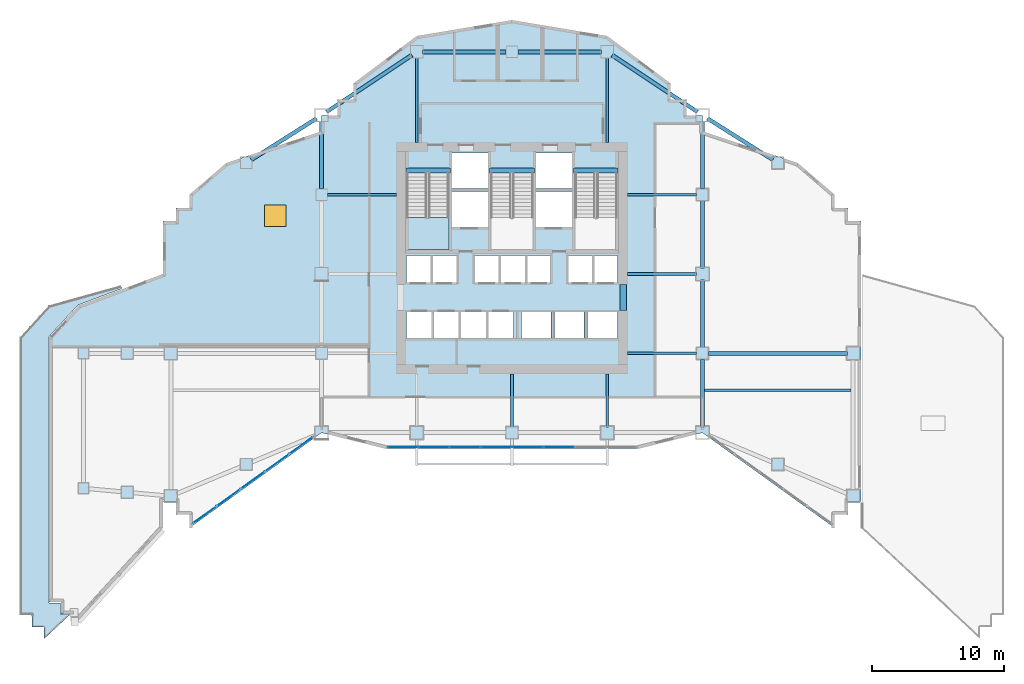
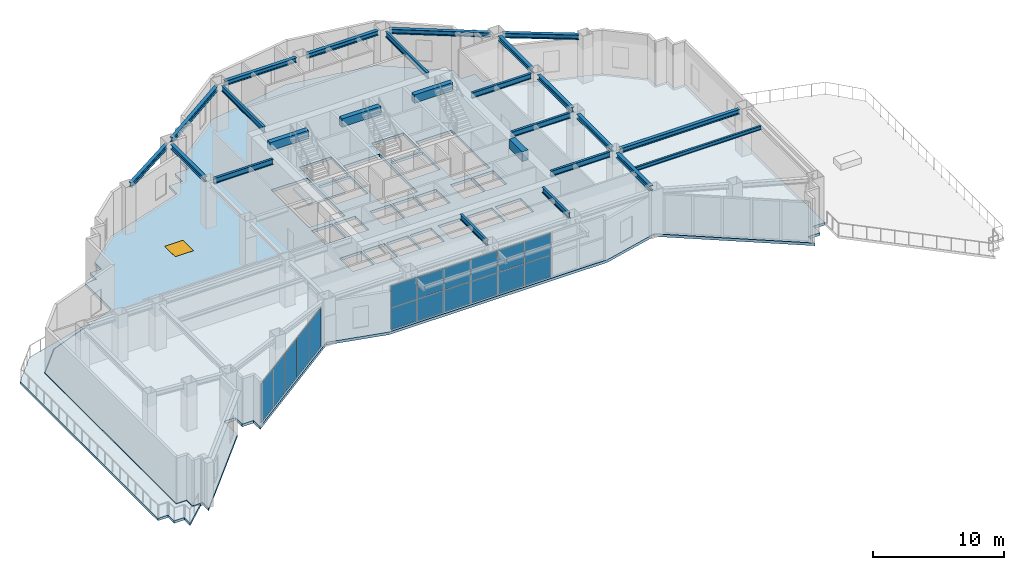
# One storey, part 8 of 19: 25 beams, 17 plates, 3 slabs, 1 window, 1 opening, 3 elements without a shape of their own.
"""IFC4 building model written with IfcOpenShell, lengths in metres."""

import ifcopenshell
import ifcopenshell.guid

model = None  # the IFC model being written
_history = None  # IfcOwnerHistory: only IFC2X3 demands one
_inside = {}  # id of a spatial element -> (the spatial element, [elements in it])
_under = {}  # id of a project, library or spatial element -> (it, [spatial elements below it])
_declared = {}  # id of a project -> (the project, [libraries it declares])
_typed = {}  # id of a type object -> (the type object, [elements of that type])
_made_of = {}  # id of a material, layer set ... -> (it, [elements and type objects made of it])


def new_model(schema):
    """Start an empty IFC model of exactly this schema.

    Asked for "IFC4X3", IfcOpenShell would pick the latest addendum, in which some entities
    have other attributes; the version numbers below select the first issue.
    IFC2X3 requires an IfcOwnerHistory on every rooted entity: one is made here for all.
    """
    global model, _history
    if schema == "IFC4X3":
        model = ifcopenshell.file(schema_version=(4, 3, 0, 0))
    else:
        model = ifcopenshell.file(schema=schema)
    _inside.clear()
    _under.clear()
    _declared.clear()
    _typed.clear()
    _made_of.clear()
    _history = None
    if model.schema == "IFC2X3":
        org = make("IfcOrganization", Name="unknown")
        user = make(
            "IfcPersonAndOrganization",
            ThePerson=make("IfcPerson", FamilyName="unknown"),
            TheOrganization=org,
        )
        app = make(
            "IfcApplication",
            ApplicationDeveloper=org,
            Version="unknown",
            ApplicationFullName="unknown",
            ApplicationIdentifier="unknown",
        )
        _history = make(
            "IfcOwnerHistory",
            OwningUser=user,
            OwningApplication=app,
            ChangeAction="ADDED",
            CreationDate=0,
        )
    return model


def make(cls, **values):
    """One entity of the class cls with the attributes given. An attribute that is None is left unset."""
    return model.create_entity(
        cls, **{name: value for name, value in values.items() if value is not None}
    )


def rooted(cls, **values):
    """An entity with a GlobalId (a new one), such as an element, a storey or a relation."""
    return make(cls, GlobalId=ifcopenshell.guid.new(), OwnerHistory=_history, **values)


def si_unit(unit_type, name, prefix=None):
    """IfcSIUnit, for example si_unit("LENGTHUNIT", "METRE", prefix="MILLI")."""
    return make("IfcSIUnit", UnitType=unit_type, Prefix=prefix, Name=name)


def assignment(units):
    """IfcUnitAssignment: the units of a project."""
    return None if units is None else make("IfcUnitAssignment", Units=units)


def point(xyz):
    """IfcCartesianPoint."""
    return None if xyz is None else make("IfcCartesianPoint", Coordinates=xyz)


def direction(xyz):
    """IfcDirection."""
    return None if xyz is None else make("IfcDirection", DirectionRatios=xyz)


def frame(location, z_axis=None, x_axis=None):
    """IfcAxis2Placement3D, a coordinate frame: its origin and axes. An axis left out is left unset."""
    return make(
        "IfcAxis2Placement3D",
        Location=point(location),
        Axis=direction(z_axis),
        RefDirection=direction(x_axis),
    )


def frame_2d(location, x_axis=None):
    """IfcAxis2Placement2D, a coordinate frame in the plane: its origin and x axis."""
    return make(
        "IfcAxis2Placement2D", Location=point(location), RefDirection=direction(x_axis)
    )


def origin():
    """The frame at (0, 0, 0) with its axes left unset."""
    return frame((0.0, 0.0, 0.0))


def origin_2d():
    """The frame at (0, 0) in the plane with its x axis left unset."""
    return frame_2d((0.0, 0.0))


def place(relative_to, where):
    """IfcLocalPlacement: puts the frame where relative to a parent placement (None: the world)."""
    return make(
        "IfcLocalPlacement", PlacementRelTo=relative_to, RelativePlacement=where
    )


def context(
    kind, dimensions, precision=None, world=None, true_north=None, identifier=None
):
    """IfcGeometricRepresentationContext, for example the 3D "Model" context."""
    return make(
        "IfcGeometricRepresentationContext",
        ContextIdentifier=identifier,
        ContextType=kind,
        CoordinateSpaceDimension=dimensions,
        Precision=precision,
        WorldCoordinateSystem=world,
        TrueNorth=true_north,
    )


def subcontext(parent, identifier, kind, view, scale=None):
    """IfcGeometricRepresentationSubContext, for example "Body" below "Model"."""
    return make(
        "IfcGeometricRepresentationSubContext",
        ContextIdentifier=identifier,
        ContextType=kind,
        ParentContext=parent,
        TargetScale=scale,
        TargetView=view,
    )


def project(units=None, contexts=None):
    """IfcProject with its units and contexts."""
    return rooted(
        "IfcProject",
        Name="project",
        RepresentationContexts=contexts,
        UnitsInContext=assignment(units),
    )


def spatial(cls, under=None, at=None, **own):
    """A site, building, storey or space (cls), placed at a placement, below another one or the project."""
    s = rooted(cls, ObjectPlacement=at, **own)
    if under is not None:
        _under.setdefault(under.id(), (under, []))[1].append(s)
    return s


def polyline(points):
    """IfcPolyline through the points."""
    return make("IfcPolyline", Points=[point(p) for p in points])


def profile(cls, at=None, kind="AREA", **sizes):
    """A parametric profile (cls). Its sizes go by their IFC names, for example OverallWidth=200.0."""
    return make(cls, ProfileType=kind, Position=at, **sizes)


def rectangle(**sizes):
    """IfcRectangleProfileDef."""
    return profile("IfcRectangleProfileDef", **sizes)


def i_section(**sizes):
    """IfcIShapeProfileDef."""
    return profile("IfcIShapeProfileDef", **sizes)


def outline(outer, holes=None, kind="AREA"):
    """IfcArbitraryClosedProfileDef: a profile drawn as a closed curve; with holes, ...WithVoids."""
    if holes is None:
        return make("IfcArbitraryClosedProfileDef", ProfileType=kind, OuterCurve=outer)
    return make(
        "IfcArbitraryProfileDefWithVoids",
        ProfileType=kind,
        OuterCurve=outer,
        InnerCurves=holes,
    )


def extrude(swept, where, along, depth):
    """IfcExtrudedAreaSolid: the profile swept, set in the frame where, extruded along a direction by depth."""
    return make(
        "IfcExtrudedAreaSolid",
        SweptArea=swept,
        Position=where,
        ExtrudedDirection=direction(along),
        Depth=depth,
    )


def shape(context_of_items, identifier, shape_type, items):
    """IfcShapeRepresentation: the items that make up one representation, for example the "Body"."""
    return make(
        "IfcShapeRepresentation",
        ContextOfItems=context_of_items,
        RepresentationIdentifier=identifier,
        RepresentationType=shape_type,
        Items=items,
    )


def material(Name=None, Category=None):
    """IfcMaterial."""
    return make("IfcMaterial", Name=Name, Category=Category)


def layer(
    of_material, thickness, ventilated=None, Name=None, Category=None, Priority=None
):
    """IfcMaterialLayer: one layer of a wall or slab, of a material (None: an air gap)."""
    return make(
        "IfcMaterialLayer",
        Material=of_material,
        LayerThickness=thickness,
        IsVentilated=ventilated,
        Name=Name,
        Category=Category,
        Priority=Priority,
    )


def layer_set(layers, Name=None):
    """IfcMaterialLayerSet."""
    return make("IfcMaterialLayerSet", MaterialLayers=layers, LayerSetName=Name)


def material_profile(
    of_material, cross_section, Name=None, Category=None, Priority=None
):
    """IfcMaterialProfile: a cross section and its material."""
    return make(
        "IfcMaterialProfile",
        Name=Name,
        Material=of_material,
        Profile=cross_section,
        Priority=Priority,
        Category=Category,
    )


def profile_set(profiles, Name=None, composite=None):
    """IfcMaterialProfileSet."""
    return make(
        "IfcMaterialProfileSet",
        Name=Name,
        MaterialProfiles=profiles,
        CompositeProfile=composite,
    )


def made_of(thing, what):
    """Note that an element or type object is made of a material, layer set ...; save() writes the relation."""
    if what is not None:
        _made_of.setdefault(what.id(), (what, []))[1].append(thing)
    return thing


def type_object(cls, material=None, **own):
    """A type object (cls), such as IfcWallType, which elements share."""
    return made_of(rooted(cls, **own), material)


def element(
    cls,
    number,
    at=None,
    inside=None,
    cuts=None,
    type_object=None,
    material=None,
    context=None,
    identifier="Body",
    shape_type=None,
    held_by="IfcProductDefinitionShape",
    body=None,
    shapes=None,
    **own,
):
    """One element of the class cls, such as IfcWall. Its Tag is "e" and its number.

    at: its placement. inside: the storey or other place that contains it. cuts: it is an
    opening in that element (IfcRelVoidsElement). A single representation is given by context,
    identifier, shape_type and body (its items); several are given by shapes. held_by: the class
    of the entity that holds the representations. save() writes the other relations.
    """
    e = rooted(cls, Tag="e%d" % number, ObjectPlacement=at, **own)
    if body is not None:
        shapes = [shape(context, identifier, shape_type, body)]
    if shapes is not None:
        e.Representation = make(held_by, Representations=shapes)
    if inside is not None:
        _inside.setdefault(inside.id(), (inside, []))[1].append(e)
    if cuts is not None:
        rooted(
            "IfcRelVoidsElement", RelatingBuildingElement=cuts, RelatedOpeningElement=e
        )
    if type_object is not None:
        _typed.setdefault(type_object.id(), (type_object, []))[1].append(e)
    return made_of(e, material)


def fill(opening, filler):
    """IfcRelFillsElement: the door or window that sits in an opening."""
    return rooted(
        "IfcRelFillsElement",
        RelatingOpeningElement=opening,
        RelatedBuildingElement=filler,
    )


def aggregate(whole, parts):
    """IfcRelAggregates: a whole, such as a stair, and the parts it consists of."""
    return rooted("IfcRelAggregates", RelatingObject=whole, RelatedObjects=parts)


def save(model, path):
    """Write the relations noted so far, then the file.

    IfcRelAggregates (storeys below a building ...), IfcRelContainedInSpatialStructure (elements
    in a storey), IfcRelDefinesByType, IfcRelAssociatesMaterial and IfcRelDeclares: one each for
    every whole, place, type object, material and project.
    """
    for whole, parts in _under.values():
        aggregate(whole, parts)
    for where, things in _inside.values():
        rooted(
            "IfcRelContainedInSpatialStructure",
            RelatedElements=things,
            RelatingStructure=where,
        )
    for kind, things in _typed.values():
        rooted("IfcRelDefinesByType", RelatedObjects=things, RelatingType=kind)
    for what, things in _made_of.values():
        rooted("IfcRelAssociatesMaterial", RelatedObjects=things, RelatingMaterial=what)
    for by, libraries in _declared.values():
        rooted("IfcRelDeclares", RelatingContext=by, RelatedDefinitions=libraries)
    model.write(path)


model = new_model("IFC4")

# Units and contexts
model_context = context("Model", 3, precision=1e-05, world=origin(), true_north=direction((0.0, 1.0)))
body_context = subcontext(model_context, "Body", "Model", "MODEL_VIEW")
ifc_project = project(units=[si_unit("LENGTHUNIT", "METRE"), si_unit("AREAUNIT", "SQUARE_METRE"), si_unit("VOLUMEUNIT", "CUBIC_METRE"), si_unit("PLANEANGLEUNIT", "RADIAN"), si_unit("MASSUNIT", "GRAM", prefix="KILO")], contexts=[model_context])

# Site, building, storey
site_placement = place(None, origin())
site = spatial("IfcSite", under=ifc_project, at=site_placement, CompositionType="ELEMENT")
building_placement = place(site_placement, origin())
building = spatial("IfcBuilding", under=site, at=building_placement, Name="Haolan Belvedere Tower", CompositionType="ELEMENT")
storey_placement = place(building_placement, frame((0.0, 0.0, 94.0)))
storey = spatial("IfcBuildingStorey", under=building, at=storey_placement, Name="L23", CompositionType="ELEMENT", Elevation=94.0)

# Beams
ifc_material_1 = material(Name="Steel Q355B", Category="steel")
ifc_material_profile_1 = material_profile(ifc_material_1, i_section(OverallWidth=0.300048828125, OverallDepth=0.43994140625, WebThickness=0.010986328125, FlangeThickness=0.01806640625, FilletRadius=0.02392578125, at=origin_2d()), Name="Steel Q355B")
ifc_profile_set_1 = profile_set([ifc_material_profile_1], Name="Steel Q355B")
beam_type_1 = type_object("IfcBeamType", Name="BM-HM440x300x11x18", PredefinedType="SPANDREL", material=ifc_profile_set_1)
for number, where, z_axis, x_axis, name in (
    (1, (24.0, 40.050048828125, 3.97998046875), (0.0, 1.0, 0.0), (-1.0, 0.0, 0.0), "L23 spandrel girder TC-T3-W2-MC-T3-NW"),
    (2, (52.800048828125, 22.050048828125, 3.97998046875), (0.0, 1.0, 0.0), (-1.0, 0.0, 0.0), "L23 spandrel girder MC-T3-SE-TC-T3-E1"),
    (3, (52.800048828125, 28.050048828125, 3.97998046875), (0.0, 1.0, 0.0), (-1.0, 0.0, 0.0), "L23 spandrel girder TC-T3-E1-MC-T3-ME"),
    (4, (52.800048828125, 34.050048828125, 3.97998046875), (0.0, 1.0, 0.0), (-1.0, 0.0, 0.0), "L23 spandrel girder MC-T3-ME-TC-T3-E2"),
    (5, (52.800048828125, 40.050048828125, 3.97998046875), (0.0, 1.0, 0.0), (-1.0, 0.0, 0.0), "L23 spandrel girder TC-T3-E2-MC-T3-NE"),
):
    element("IfcBeam", number, at=place(storey_placement, frame(where, z_axis=z_axis, x_axis=x_axis)), inside=storey, type_object=beam_type_1, Name=name, PredefinedType="SPANDREL", context=body_context, shape_type="SweptSolid", body=[
        extrude(i_section(OverallWidth=0.300048828125, OverallDepth=0.43994140625, WebThickness=0.010986328125, FlangeThickness=0.01806640625, FilletRadius=0.02392578125, at=origin_2d()), origin(), (0.0, 0.0, 1.0), 5.099853515625),
    ])
beam_1_placement = place(storey_placement, frame((24.37451171875, 45.849609375, 3.97998046875), z_axis=(0.832050294338, 0.554700196225, 0.0), x_axis=(-0.554700196225, 0.832050294338, 0.0)))
element("IfcBeam", 6, at=beam_1_placement, inside=storey, type_object=beam_type_1, Name="L23 spandrel girder MC-T3-NW-MC-T3-N1", PredefinedType="SPANDREL", context=body_context, shape_type="SweptSolid", body=[
    extrude(i_section(OverallWidth=0.300048828125, OverallDepth=0.43994140625, WebThickness=0.010986328125, FlangeThickness=0.01806640625, FilletRadius=0.02392578125, at=origin_2d()), origin(), (0.0, 0.0, 1.0), 7.75341796875),
])
beam_2_placement = place(storey_placement, frame((31.64990234375, 50.39990234375, 3.97998046875), z_axis=(1.0, 0.0, 0.0), x_axis=(0.0, 1.0, 0.0)))
element("IfcBeam", 7, at=beam_2_placement, inside=storey, type_object=beam_type_1, Name="L23 spandrel girder MC-T3-N1-TC-T3-NM", PredefinedType="SPANDREL", context=body_context, shape_type="SweptSolid", body=[
    extrude(i_section(OverallWidth=0.300048828125, OverallDepth=0.43994140625, WebThickness=0.010986328125, FlangeThickness=0.01806640625, FilletRadius=0.02392578125, at=origin_2d()), origin(), (0.0, 0.0, 1.0), 6.300048828125),
])
beam_3_placement = place(storey_placement, frame((38.85009765625, 50.39990234375, 3.97998046875), z_axis=(1.0, 0.0, 0.0), x_axis=(0.0, 1.0, 0.0)))
element("IfcBeam", 8, at=beam_3_placement, inside=storey, type_object=beam_type_1, Name="L23 spandrel girder TC-T3-NM-MC-T3-N2", PredefinedType="SPANDREL", context=body_context, shape_type="SweptSolid", body=[
    extrude(i_section(OverallWidth=0.300048828125, OverallDepth=0.43994140625, WebThickness=0.010986328125, FlangeThickness=0.01806640625, FilletRadius=0.02392578125, at=origin_2d()), origin(), (0.0, 0.0, 1.0), 6.2998046875),
])
beam_4_placement = place(storey_placement, frame((45.974365234375, 50.150390625, 3.97998046875), z_axis=(0.832050294338, -0.554700196225, 0.0), x_axis=(0.554700196225, 0.832050294338, 0.0)))
element("IfcBeam", 9, at=beam_4_placement, inside=storey, type_object=beam_type_1, Name="L23 spandrel girder MC-T3-N2-MC-T3-NE", PredefinedType="SPANDREL", context=body_context, shape_type="SweptSolid", body=[
    extrude(i_section(OverallWidth=0.300048828125, OverallDepth=0.43994140625, WebThickness=0.010986328125, FlangeThickness=0.01806640625, FilletRadius=0.02392578125, at=origin_2d()), origin(), (0.0, 0.0, 1.0), 7.75341796875),
])
for number, where, z_axis, x_axis, name in (
    (10, (18.680419921875, 42.240234375, 3.97998046875), (0.845497840649, 0.533978839898, 0.0), (-0.533978839898, 0.845497840649, 0.0), "L23 spandrel girder TC-T2-N1-MC-T3-NW"),
    (11, (53.180419921875, 45.359619140625, 3.97998046875), (0.845497840649, -0.533978839898, 0.0), (0.533978839898, 0.845497840649, 0.0), "L23 spandrel girder MC-T3-NE-TC-T4-N1"),
):
    element("IfcBeam", number, at=place(storey_placement, frame(where, z_axis=z_axis, x_axis=x_axis)), inside=storey, type_object=beam_type_1, Name=name, PredefinedType="SPANDREL", context=body_context, shape_type="SweptSolid", body=[
        extrude(i_section(OverallWidth=0.300048828125, OverallDepth=0.43994140625, WebThickness=0.010986328125, FlangeThickness=0.01806640625, FilletRadius=0.02392578125, at=origin_2d()), origin(), (0.0, 0.0, 1.0), 5.841796875),
    ])
beam_5_placement = place(storey_placement, frame((53.25, 27.60009765625, 3.97998046875), z_axis=(1.0, 0.0, 0.0), x_axis=(0.0, 1.0, 0.0)))
element("IfcBeam", 12, at=beam_5_placement, inside=storey, type_object=beam_type_1, Name="L23 spandrel girder TC-T3-E1-MC-T4-ME", PredefinedType="SPANDREL", context=body_context, shape_type="SweptSolid", body=[
    extrude(i_section(OverallWidth=0.300048828125, OverallDepth=0.43994140625, WebThickness=0.010986328125, FlangeThickness=0.01806640625, FilletRadius=0.02392578125, at=origin_2d()), origin(), (0.0, 0.0, 1.0), 10.5),
])
ifc_material_profile_2 = material_profile(ifc_material_1, i_section(OverallWidth=0.175048828125, OverallDepth=0.35009765625, WebThickness=0.007080078125, FlangeThickness=0.010986328125, FilletRadius=0.012939453125, at=origin_2d()), Name="Steel Q355B")
ifc_profile_set_2 = profile_set([ifc_material_profile_2], Name="Steel Q355B")
beam_type_2 = type_object("IfcBeamType", Name="BM-HN350x175x7x11", PredefinedType="JOIST", material=ifc_profile_set_2)
beam_6_placement = place(storey_placement, frame((52.949951171875, 24.800048828125, 4.02490234375), z_axis=(1.0, 0.0, 0.0), x_axis=(0.0, 1.0, 0.0)))
element("IfcBeam", 13, at=beam_6_placement, inside=storey, type_object=beam_type_2, Name="L23 east wing floor joist 1", PredefinedType="JOIST", context=body_context, shape_type="SweptSolid", body=[
    extrude(i_section(OverallWidth=0.175048828125, OverallDepth=0.35009765625, WebThickness=0.007080078125, FlangeThickness=0.010986328125, FilletRadius=0.012939453125, at=origin_2d()), origin(), (0.0, 0.0, 1.0), 11.10009765625),
])
ifc_material_profile_3 = material_profile(ifc_material_1, i_section(OverallWidth=0.199951171875, OverallDepth=0.5, WebThickness=0.010009765625, FlangeThickness=0.01611328125, FilletRadius=0.02001953125, at=origin_2d()), Name="Steel Q355B")
ifc_profile_set_3 = profile_set([ifc_material_profile_3], Name="Steel Q355B")
beam_type_3 = type_object("IfcBeamType", Name="BM-HN500x200x10x16", PredefinedType="BEAM", material=ifc_profile_set_3)
beam_7_placement = place(storey_placement, frame((24.449951171875, 39.60009765625, 3.949951171875), z_axis=(1.0, 0.0, 0.0), x_axis=(0.0, 1.0, 0.0)))
element("IfcBeam", 14, at=beam_7_placement, inside=storey, type_object=beam_type_3, Name="L23 core tie beam from TC-T3-W2", PredefinedType="BEAM", context=body_context, shape_type="SweptSolid", body=[
    extrude(i_section(OverallWidth=0.199951171875, OverallDepth=0.5, WebThickness=0.010009765625, FlangeThickness=0.01611328125, FilletRadius=0.02001953125, at=origin_2d()), origin(), (0.0, 0.0, 1.0), 5.199951171875),
])
for number, where, z_axis, x_axis, name in (
    (15, (52.35009765625, 33.60009765625, 3.949951171875), (-1.0, 0.0, 0.0), (0.0, -1.0, 0.0), "L23 core tie beam from MC-T3-ME"),
    (16, (52.35009765625, 27.60009765625, 3.949951171875), (-1.0, 0.0, 0.0), (0.0, -1.0, 0.0), "L23 core tie beam from TC-T3-E1"),
    (17, (52.35009765625, 39.60009765625, 3.949951171875), (-1.0, 0.0, 0.0), (0.0, -1.0, 0.0), "L23 core tie beam from TC-T3-E2"),
):
    element("IfcBeam", number, at=place(storey_placement, frame(where, z_axis=z_axis, x_axis=x_axis)), inside=storey, type_object=beam_type_3, Name=name, PredefinedType="BEAM", context=body_context, shape_type="SweptSolid", body=[
        extrude(i_section(OverallWidth=0.199951171875, OverallDepth=0.5, WebThickness=0.010009765625, FlangeThickness=0.01611328125, FilletRadius=0.02001953125, at=origin_2d()), origin(), (0.0, 0.0, 1.0), 5.2001953125),
    ])
for number, where, z_axis, x_axis, name in (
    (18, (38.39990234375, 22.050048828125, 3.949951171875), (0.0, 1.0, 0.0), (-1.0, 0.0, 0.0), "L23 core tie beam from TC-T3-SM"),
    (19, (45.60009765625, 22.050048828125, 3.949951171875), (0.0, 1.0, 0.0), (-1.0, 0.0, 0.0), "L23 core tie beam from MC-T3-S2"),
):
    element("IfcBeam", number, at=place(storey_placement, frame(where, z_axis=z_axis, x_axis=x_axis)), inside=storey, type_object=beam_type_3, Name=name, PredefinedType="BEAM", context=body_context, shape_type="SweptSolid", body=[
        extrude(i_section(OverallWidth=0.199951171875, OverallDepth=0.5, WebThickness=0.010009765625, FlangeThickness=0.01611328125, FilletRadius=0.02001953125, at=origin_2d()), origin(), (0.0, 0.0, 1.0), 4.0),
    ])
for number, where, z_axis, x_axis, name in (
    (20, (31.199951171875, 49.949951171875, 3.949951171875), (0.0, -1.0, 0.0), (1.0, 0.0, 0.0), "L23 core tie beam from MC-T3-N1"),
    (21, (45.60009765625, 49.949951171875, 3.949951171875), (0.0, -1.0, 0.0), (1.0, 0.0, 0.0), "L23 core tie beam from MC-T3-N2"),
):
    element("IfcBeam", number, at=place(storey_placement, frame(where, z_axis=z_axis, x_axis=x_axis)), inside=storey, type_object=beam_type_3, Name=name, PredefinedType="BEAM", context=body_context, shape_type="SweptSolid", body=[
        extrude(i_section(OverallWidth=0.199951171875, OverallDepth=0.5, WebThickness=0.010009765625, FlangeThickness=0.01611328125, FilletRadius=0.02001953125, at=origin_2d()), origin(), (0.0, 0.0, 1.0), 6.39990234375),
    ])
ifc_material_2 = material(Name="Concrete C50/60", Category="concrete")
ifc_material_profile_4 = material_profile(ifc_material_2, rectangle(XDim=0.39990234375, YDim=0.75, at=origin_2d()), Name="Concrete C50/60")
ifc_profile_set_4 = profile_set([ifc_material_profile_4], Name="Concrete C50/60")
beam_type_4 = type_object("IfcBeamType", Name="BM-RC400x750", PredefinedType="T_BEAM", material=ifc_profile_set_4)
beam_8_placement = place(storey_placement, frame((30.3798828125, 41.429931640625, 4.02490234375), z_axis=(1.0, 0.0, 0.0), x_axis=(0.0, 1.0, 0.0)))
element("IfcBeam", 22, at=beam_8_placement, inside=storey, type_object=beam_type_4, Name="L24 stair ST1 RC header trimmer beam", PredefinedType="BEAM", context=body_context, shape_type="SweptSolid", body=[
    extrude(rectangle(XDim=0.39990234375, YDim=0.75, at=origin_2d()), origin(), (0.0, 0.0, 1.0), 3.360107421875),
])
beam_9_placement = place(storey_placement, frame((36.699951171875, 41.429931640625, 4.02490234375), z_axis=(1.0, 0.0, 0.0), x_axis=(0.0, 1.0, 0.0)))
element("IfcBeam", 23, at=beam_9_placement, inside=storey, type_object=beam_type_4, Name="L24 stair ST3 RC header trimmer beam", PredefinedType="BEAM", context=body_context, shape_type="SweptSolid", body=[
    extrude(rectangle(XDim=0.39990234375, YDim=0.75, at=origin_2d()), origin(), (0.0, 0.0, 1.0), 3.400146484375),
])
beam_10_placement = place(storey_placement, frame((43.06005859375, 41.429931640625, 4.02490234375), z_axis=(1.0, 0.0, 0.0), x_axis=(0.0, 1.0, 0.0)))
element("IfcBeam", 24, at=beam_10_placement, inside=storey, type_object=beam_type_4, Name="L24 stair ST2 RC header trimmer beam", PredefinedType="BEAM", context=body_context, shape_type="SweptSolid", body=[
    extrude(rectangle(XDim=0.39990234375, YDim=0.75, at=origin_2d()), origin(), (0.0, 0.0, 1.0), 3.35986328125),
])
ifc_material_3 = material(Name="Concrete C60/75", Category="concrete")
ifc_material_profile_5 = material_profile(ifc_material_3, rectangle(XDim=0.5, YDim=0.89990234375, at=origin_2d()), Name="Concrete C60/75")
ifc_profile_set_5 = profile_set([ifc_material_profile_5], Name="Concrete C60/75")
beam_type_5 = type_object("IfcBeamType", Name="BM-RC500x900", PredefinedType="LINTEL", material=ifc_profile_set_5)
beam_11_placement = place(storey_placement, frame((46.800048828125, 30.85009765625, 3.75), z_axis=(0.0, 1.0, 0.0), x_axis=(-1.0, 0.0, 0.0)))
element("IfcBeam", 25, at=beam_11_placement, inside=storey, type_object=beam_type_5, Name="L23 east core coupling beam CB-01", PredefinedType="LINTEL", context=body_context, shape_type="SweptSolid", body=[
    extrude(rectangle(XDim=0.5, YDim=0.89990234375, at=origin_2d()), origin(), (0.0, 0.0, 1.0), 1.949951171875),
])

# Curtain wall, plates
ifc_material_4 = material(Name="Anodised champagne-silver aluminium 6063-T6 and Low-E glass", Category="aluminium")
ifc_layer_1 = layer(ifc_material_4, 0.195068359375, Name="Anodised champagne-silver aluminium 6063-T6 and Low-E glass")
ifc_layer_set_1 = layer_set([ifc_layer_1], Name="Anodised champagne-silver aluminium 6063-T6 and Low-E glass")
curtain_wall_type = type_object("IfcCurtainWallType", Name="CW-SYS-06", PredefinedType="NOTDEFINED", material=ifc_layer_set_1)
curtain_wall_1_placement = place(storey_placement, origin())
curtain_wall_1 = element("IfcCurtainWall", 26, at=curtain_wall_1_placement, inside=storey, type_object=curtain_wall_type, Name="L23 CW-SYS-06 ribbon curtain wall 5.1", PredefinedType="NOTDEFINED")
ifc_material_5 = material(Name="Double silver Low-E laminated insulating glass", Category="glass")
ifc_layer_2 = layer(ifc_material_5, 0.031982421875, Name="Double silver Low-E laminated insulating glass")
ifc_layer_set_2 = layer_set([ifc_layer_2], Name="Double silver Low-E laminated insulating glass")
plate_type = type_object("IfcPlateType", Name="CW-SYS-06-PNL", PredefinedType="CURTAIN_PANEL", material=ifc_layer_set_2)
plate_1_placement = place(storey_placement, frame((15.16162109375, 15.38427734375, 0.06494140625), z_axis=(0.0, 0.0, 1.0), x_axis=(0.811539900127, 0.584297005385, 0.0)))
plate_1 = element("IfcPlate", 27, at=plate_1_placement, type_object=plate_type, Name="CW-06 panel 1.1", PredefinedType="CURTAIN_PANEL", context=body_context, shape_type="SweptSolid", body=[
    extrude(rectangle(XDim=2.14697265625, YDim=0.031982421875, at=origin_2d()), origin(), (0.0, 0.0, 1.0), 3.614990234375),
])
plate_2_placement = place(storey_placement, frame((16.97509765625, 16.68994140625, 0.06494140625), z_axis=(0.0, 0.0, 1.0), x_axis=(0.811539900127, 0.584297005385, 0.0)))
plate_2 = element("IfcPlate", 28, at=plate_2_placement, type_object=plate_type, Name="CW-06 panel 2.1", PredefinedType="CURTAIN_PANEL", context=body_context, shape_type="SweptSolid", body=[
    extrude(rectangle(XDim=2.18212890625, YDim=0.031982421875, at=origin_2d()), origin(), (0.0, 0.0, 1.0), 3.614990234375),
])
plate_3_placement = place(storey_placement, frame((18.802734375, 18.005859375, 0.06494140625), z_axis=(0.0, 0.0, 1.0), x_axis=(0.811539900127, 0.584297005385, 0.0)))
plate_3 = element("IfcPlate", 29, at=plate_3_placement, type_object=plate_type, Name="CW-06 panel 3.1", PredefinedType="CURTAIN_PANEL", context=body_context, shape_type="SweptSolid", body=[
    extrude(rectangle(XDim=2.18212890625, YDim=0.031982421875, at=origin_2d()), origin(), (0.0, 0.0, 1.0), 3.614990234375),
])
plate_4_placement = place(storey_placement, frame((20.63037109375, 19.321533203125, 0.06494140625), z_axis=(0.0, 0.0, 1.0), x_axis=(0.811539900127, 0.584297005385, 0.0)))
plate_4 = element("IfcPlate", 30, at=plate_4_placement, type_object=plate_type, Name="CW-06 panel 4.1", PredefinedType="CURTAIN_PANEL", context=body_context, shape_type="SweptSolid", body=[
    extrude(rectangle(XDim=2.18212890625, YDim=0.031982421875, at=origin_2d()), origin(), (0.0, 0.0, 1.0), 3.614990234375),
])
plate_5_placement = place(storey_placement, frame((22.443603515625, 20.627197265625, 0.06494140625), z_axis=(0.0, 0.0, 1.0), x_axis=(0.811539900127, 0.584297005385, 0.0)))
plate_5 = element("IfcPlate", 31, at=plate_5_placement, type_object=plate_type, Name="CW-06 panel 5.1", PredefinedType="CURTAIN_PANEL", context=body_context, shape_type="SweptSolid", body=[
    extrude(rectangle(XDim=2.14697265625, YDim=0.031982421875, at=origin_2d()), origin(), (0.0, 0.0, 1.0), 3.614990234375),
])
aggregate(curtain_wall_1, [plate_1, plate_2, plate_3, plate_4, plate_5])

curtain_wall_2_placement = place(storey_placement, origin())
curtain_wall_2 = element("IfcCurtainWall", 32, at=curtain_wall_2_placement, inside=storey, type_object=curtain_wall_type, Name="L23 CW-SYS-06 ribbon curtain wall 7.1", PredefinedType="NOTDEFINED")
plate_6_placement = place(storey_placement, frame((30.15283203125, 20.52001953125, 0.06494140625), z_axis=(0.0, 0.0, 1.0), x_axis=(1.0, 0.0, 0.0)))
plate_6 = element("IfcPlate", 33, at=plate_6_placement, type_object=plate_type, Name="CW-06 panel 1.1", PredefinedType="CURTAIN_PANEL", context=body_context, shape_type="SweptSolid", body=[
    extrude(rectangle(XDim=2.25634765625, YDim=0.031982421875, at=origin_2d()), origin(), (0.0, 0.0, 1.0), 2.00244140625),
])
plate_7_placement = place(storey_placement, frame((30.15283203125, 20.52001953125, 2.132568359375), z_axis=(0.0, 0.0, 1.0), x_axis=(1.0, 0.0, 0.0)))
plate_7 = element("IfcPlate", 34, at=plate_7_placement, type_object=plate_type, Name="CW-06 panel 1.2", PredefinedType="CURTAIN_PANEL", context=body_context, shape_type="SweptSolid", body=[
    extrude(rectangle(XDim=2.25634765625, YDim=0.031982421875, at=origin_2d()), origin(), (0.0, 0.0, 1.0), 2.00244140625),
])
plate_8_placement = place(storey_placement, frame((32.496826171875, 20.52001953125, 0.06494140625), z_axis=(0.0, 0.0, 1.0), x_axis=(1.0, 0.0, 0.0)))
plate_8 = element("IfcPlate", 35, at=plate_8_placement, type_object=plate_type, Name="CW-06 panel 2.1", PredefinedType="CURTAIN_PANEL", context=body_context, shape_type="SweptSolid", body=[
    extrude(rectangle(XDim=2.291259765625, YDim=0.031982421875, at=origin_2d()), origin(), (0.0, 0.0, 1.0), 2.00244140625),
])
plate_9_placement = place(storey_placement, frame((32.496826171875, 20.52001953125, 2.132568359375), z_axis=(0.0, 0.0, 1.0), x_axis=(1.0, 0.0, 0.0)))
plate_9 = element("IfcPlate", 36, at=plate_9_placement, type_object=plate_type, Name="CW-06 panel 2.2", PredefinedType="CURTAIN_PANEL", context=body_context, shape_type="SweptSolid", body=[
    extrude(rectangle(XDim=2.291259765625, YDim=0.031982421875, at=origin_2d()), origin(), (0.0, 0.0, 1.0), 2.00244140625),
])
plate_10_placement = place(storey_placement, frame((34.858154296875, 20.52001953125, 0.06494140625), z_axis=(0.0, 0.0, 1.0), x_axis=(1.0, 0.0, 0.0)))
plate_10 = element("IfcPlate", 37, at=plate_10_placement, type_object=plate_type, Name="CW-06 panel 3.1", PredefinedType="CURTAIN_PANEL", context=body_context, shape_type="SweptSolid", body=[
    extrude(rectangle(XDim=2.291259765625, YDim=0.031982421875, at=origin_2d()), origin(), (0.0, 0.0, 1.0), 2.00244140625),
])
plate_11_placement = place(storey_placement, frame((34.858154296875, 20.52001953125, 2.132568359375), z_axis=(0.0, 0.0, 1.0), x_axis=(1.0, 0.0, 0.0)))
plate_11 = element("IfcPlate", 38, at=plate_11_placement, type_object=plate_type, Name="CW-06 panel 3.2", PredefinedType="CURTAIN_PANEL", context=body_context, shape_type="SweptSolid", body=[
    extrude(rectangle(XDim=2.291259765625, YDim=0.031982421875, at=origin_2d()), origin(), (0.0, 0.0, 1.0), 2.00244140625),
])
plate_12_placement = place(storey_placement, frame((37.21923828125, 20.52001953125, 0.06494140625), z_axis=(0.0, 0.0, 1.0), x_axis=(1.0, 0.0, 0.0)))
plate_12 = element("IfcPlate", 39, at=plate_12_placement, type_object=plate_type, Name="CW-06 panel 4.1", PredefinedType="CURTAIN_PANEL", context=body_context, shape_type="SweptSolid", body=[
    extrude(rectangle(XDim=2.291259765625, YDim=0.031982421875, at=origin_2d()), origin(), (0.0, 0.0, 1.0), 2.00244140625),
])
plate_13_placement = place(storey_placement, frame((37.21923828125, 20.52001953125, 2.132568359375), z_axis=(0.0, 0.0, 1.0), x_axis=(1.0, 0.0, 0.0)))
plate_13 = element("IfcPlate", 40, at=plate_13_placement, type_object=plate_type, Name="CW-06 panel 4.2", PredefinedType="CURTAIN_PANEL", context=body_context, shape_type="SweptSolid", body=[
    extrude(rectangle(XDim=2.291259765625, YDim=0.031982421875, at=origin_2d()), origin(), (0.0, 0.0, 1.0), 2.00244140625),
])
plate_14_placement = place(storey_placement, frame((39.58056640625, 20.52001953125, 0.06494140625), z_axis=(0.0, 0.0, 1.0), x_axis=(1.0, 0.0, 0.0)))
plate_14 = element("IfcPlate", 41, at=plate_14_placement, type_object=plate_type, Name="CW-06 panel 5.1", PredefinedType="CURTAIN_PANEL", context=body_context, shape_type="SweptSolid", body=[
    extrude(rectangle(XDim=2.291259765625, YDim=0.031982421875, at=origin_2d()), origin(), (0.0, 0.0, 1.0), 2.00244140625),
])
plate_15_placement = place(storey_placement, frame((39.58056640625, 20.52001953125, 2.132568359375), z_axis=(0.0, 0.0, 1.0), x_axis=(1.0, 0.0, 0.0)))
plate_15 = element("IfcPlate", 42, at=plate_15_placement, type_object=plate_type, Name="CW-06 panel 5.2", PredefinedType="CURTAIN_PANEL", context=body_context, shape_type="SweptSolid", body=[
    extrude(rectangle(XDim=2.291259765625, YDim=0.031982421875, at=origin_2d()), origin(), (0.0, 0.0, 1.0), 2.00244140625),
])
plate_16_placement = place(storey_placement, frame((41.94189453125, 20.52001953125, 0.06494140625), z_axis=(0.0, 0.0, 1.0), x_axis=(1.0, 0.0, 0.0)))
plate_16 = element("IfcPlate", 43, at=plate_16_placement, type_object=plate_type, Name="CW-06 panel 6.1", PredefinedType="CURTAIN_PANEL", context=body_context, shape_type="SweptSolid", body=[
    extrude(rectangle(XDim=2.291259765625, YDim=0.031982421875, at=origin_2d()), origin(), (0.0, 0.0, 1.0), 2.00244140625),
])
plate_17_placement = place(storey_placement, frame((41.94189453125, 20.52001953125, 2.132568359375), z_axis=(0.0, 0.0, 1.0), x_axis=(1.0, 0.0, 0.0)))
plate_17 = element("IfcPlate", 44, at=plate_17_placement, type_object=plate_type, Name="CW-06 panel 6.2", PredefinedType="CURTAIN_PANEL", context=body_context, shape_type="SweptSolid", body=[
    extrude(rectangle(XDim=2.291259765625, YDim=0.031982421875, at=origin_2d()), origin(), (0.0, 0.0, 1.0), 2.00244140625),
])
aggregate(curtain_wall_2, [plate_6, plate_7, plate_8, plate_9, plate_10, plate_11, plate_12, plate_13, plate_14, plate_15, plate_16, plate_17])

# Slab, opening, window
ifc_material_6 = material(Name="Concrete C40/50", Category="concrete")
ifc_layer_3 = layer(ifc_material_6, 0.25, Name="Concrete C40/50")
ifc_layer_set_3 = layer_set([ifc_layer_3], Name="Concrete C40/50")
slab_type_1 = type_object("IfcSlabType", Name="SL-FLR-250", PredefinedType="FLOOR", material=ifc_layer_set_3)
slab_1_placement = place(storey_placement, frame((0.0, 0.0, -0.25)))
slab_1 = element("IfcSlab", 45, at=slab_1_placement, inside=storey, type_object=slab_type_1, Name="L23 structural floor slab", PredefinedType="FLOOR", context=body_context, shape_type="SweptSolid", body=[
    extrude(outline(polyline([(12.0, 14.39990234375), (12.0, 16.39990234375), (13.0, 16.39990234375), (13.0, 15.39990234375), (14.0, 15.39990234375), (14.0, 14.39990234375), (24.0, 21.60009765625), (28.800048828125, 20.39990234375), (48.0, 20.39990234375), (52.800048828125, 21.60009765625), (62.800048828125, 14.39990234375), (62.800048828125, 15.39990234375), (63.800048828125, 15.39990234375), (63.800048828125, 16.39990234375), (64.800048828125, 16.39990234375), (64.800048828125, 37.60009765625), (63.800048828125, 37.60009765625), (63.800048828125, 38.60009765625), (62.800048828125, 38.60009765625), (62.800048828125, 39.60009765625), (60.0, 42.0), (52.800048828125, 44.39990234375), (52.800048828125, 45.60009765625), (51.60009765625, 45.60009765625), (51.60009765625, 46.800048828125), (50.39990234375, 46.800048828125), (50.39990234375, 48.0), (45.60009765625, 51.60009765625), (38.39990234375, 52.800048828125), (31.199951171875, 51.60009765625), (26.39990234375, 48.0), (26.39990234375, 46.800048828125), (25.199951171875, 46.800048828125), (25.199951171875, 45.60009765625), (24.0, 45.60009765625), (24.0, 44.39990234375), (16.800048828125, 42.0), (14.0, 39.60009765625), (14.0, 38.60009765625), (13.0, 38.60009765625), (13.0, 37.60009765625), (12.0, 37.60009765625), (12.0, 33.60009765625), (5.60009765625, 31.199951171875), (3.39990234375, 28.800048828125), (3.39990234375, 9.389892578125), (3.39990234375, 8.7900390625), (4.300048828125, 8.7900390625), (4.300048828125, 7.889892578125), (5.199951171875, 7.889892578125), (5.199951171875, 6.989990234375), (12.0, 14.39990234375)]), holes=[polyline([(30.449951171875, 41.22998046875), (30.449951171875, 35.449951171875), (33.6298828125, 35.449951171875), (33.6298828125, 41.22998046875), (30.449951171875, 41.22998046875)]), polyline([(36.81005859375, 41.22998046875), (36.81005859375, 35.449951171875), (39.989990234375, 35.449951171875), (39.989990234375, 41.22998046875), (36.81005859375, 41.22998046875)]), polyline([(43.169921875, 41.22998046875), (43.169921875, 35.449951171875), (46.35009765625, 35.449951171875), (46.35009765625, 41.22998046875), (43.169921875, 41.22998046875)]), polyline([(33.830078125, 40.050048828125), (36.610107421875, 40.050048828125), (36.610107421875, 42.75), (33.830078125, 42.75), (33.830078125, 40.050048828125)]), polyline([(33.830078125, 37.14990234375), (36.610107421875, 37.14990234375), (36.610107421875, 39.85009765625), (33.830078125, 39.85009765625), (33.830078125, 37.14990234375)]), polyline([(40.18994140625, 40.050048828125), (42.969970703125, 40.050048828125), (42.969970703125, 42.75), (40.18994140625, 42.75), (40.18994140625, 40.050048828125)]), polyline([(40.18994140625, 37.14990234375), (42.969970703125, 37.14990234375), (42.969970703125, 39.85009765625), (40.18994140625, 39.85009765625), (40.18994140625, 37.14990234375)]), polyline([(30.419921875, 32.949951171875), (32.27001953125, 32.949951171875), (32.27001953125, 35.0), (30.419921875, 35.0), (30.419921875, 32.949951171875)]), polyline([(32.409912109375, 32.949951171875), (34.260009765625, 32.949951171875), (34.260009765625, 35.0), (32.409912109375, 35.0), (32.409912109375, 32.949951171875)]), polyline([(35.56005859375, 32.949951171875), (37.409912109375, 32.949951171875), (37.409912109375, 35.0), (35.56005859375, 35.0), (35.56005859375, 32.949951171875)]), polyline([(37.550048828125, 32.949951171875), (39.39990234375, 32.949951171875), (39.39990234375, 35.0), (37.550048828125, 35.0), (37.550048828125, 32.949951171875)]), polyline([(39.5400390625, 32.949951171875), (41.389892578125, 32.949951171875), (41.389892578125, 35.0), (39.5400390625, 35.0), (39.5400390625, 32.949951171875)]), polyline([(42.6201171875, 32.949951171875), (44.469970703125, 32.949951171875), (44.469970703125, 35.0), (42.6201171875, 35.0), (42.6201171875, 32.949951171875)]), polyline([(44.580078125, 32.949951171875), (46.3798828125, 32.949951171875), (46.3798828125, 35.0), (44.580078125, 35.0), (44.580078125, 32.949951171875)]), polyline([(30.419921875, 28.75), (32.320068359375, 28.75), (32.320068359375, 30.75), (30.419921875, 30.75), (30.419921875, 28.75)]), polyline([(32.47998046875, 28.75), (34.3798828125, 28.75), (34.3798828125, 30.75), (32.47998046875, 30.75), (32.47998046875, 28.75)]), polyline([(34.5400390625, 28.75), (36.43994140625, 28.75), (36.43994140625, 30.75), (34.5400390625, 30.75), (34.5400390625, 28.75)]), polyline([(36.60009765625, 28.75), (38.5, 28.75), (38.5, 30.75), (36.60009765625, 30.75), (36.60009765625, 28.75)]), polyline([(39.10009765625, 28.75), (41.340087890625, 28.75), (41.340087890625, 30.75), (39.10009765625, 30.75), (39.10009765625, 28.75)]), polyline([(41.610107421875, 28.75), (43.85009765625, 28.75), (43.85009765625, 30.75), (41.610107421875, 30.75), (41.610107421875, 28.75)]), polyline([(44.1201171875, 28.75), (46.360107421875, 28.75), (46.360107421875, 30.75), (44.1201171875, 30.75), (44.1201171875, 28.75)])]), origin(), (0.0, 0.0, 1.0), 0.25),
])
opening_placement = place(slab_1_placement, frame((20.5, 38.0, 0.0)))
opening = element("IfcOpeningElement", 46, at=opening_placement, cuts=slab_1, Name="Opening SK-01", PredefinedType="OPENING", context=body_context, shape_type="SweptSolid", body=[
    extrude(rectangle(XDim=1.60009765625, YDim=1.60009765625, at=origin_2d()), frame((0.0, 0.0, -0.010009765625)), (0.0, 0.0, 1.0), 0.27001953125),
])
ifc_material_7 = material(Name="Laminated solar-control skylight glass", Category="glass")
window_type = type_object("IfcWindowType", Name="WN-SKY-160", PartitioningType="SINGLE_PANEL", PredefinedType="SKYLIGHT", material=ifc_material_7)
window_placement = place(opening_placement, frame((0.0, 0.0, 0.199951171875)))
window = element("IfcWindow", 47, at=window_placement, inside=storey, type_object=window_type, Name="L23 architectural daylight skylight SKY-L23-1", OverallHeight=1.60009765625, OverallWidth=1.60009765625, PartitioningType="SINGLE_PANEL", PredefinedType="SKYLIGHT", context=body_context, shape_type="SweptSolid", body=[
    extrude(rectangle(XDim=1.60009765625, YDim=1.60009765625, at=origin_2d()), origin(), (0.0, 0.0, 1.0), 0.050048828125),
])
fill(opening, window)

# Stair, slab
stair_type = type_object("IfcStairType", Name="STR-DL-26R-169", PredefinedType="HALF_TURN_STAIR", material=ifc_material_6)
stair_placement = place(storey_placement, origin())
stair = element("IfcStair", 48, at=stair_placement, inside=storey, type_object=stair_type, Name="L23 Smokeproof Core Exit Stair ST1", PredefinedType="HALF_TURN_STAIR")
ifc_layer_4 = layer(ifc_material_6, 0.199951171875, Name="Concrete C40/50")
ifc_layer_set_4 = layer_set([ifc_layer_4], Name="Concrete C40/50")
slab_type_2 = type_object("IfcSlabType", Name="SL-LAND-200", PredefinedType="LANDING", material=ifc_layer_set_4)
slab_2_placement = place(storey_placement, frame((0.0, 0.0, 2.0)))
slab_2 = element("IfcSlab", 49, at=slab_2_placement, type_object=slab_type_2, Name="ST1 landing 1", PredefinedType="LANDING", context=body_context, shape_type="SweptSolid", body=[
    extrude(outline(polyline([(30.449951171875, 37.8701171875), (30.449951171875, 35.449951171875), (33.6298828125, 35.449951171875), (33.6298828125, 37.8701171875), (30.449951171875, 37.8701171875)])), origin(), (0.0, 0.0, 1.0), 0.199951171875),
])
aggregate(stair, [slab_2])

# Slab
ifc_layer_5 = layer(ifc_material_6, 0.219970703125, Name="Concrete C40/50")
ifc_layer_set_5 = layer_set([ifc_layer_5], Name="Concrete C40/50")
slab_type_3 = type_object("IfcSlabType", Name="SL-TER-220", PredefinedType="FLOOR", material=ifc_layer_set_5)
slab_3_placement = place(storey_placement, frame((0.0, 0.0, -0.25)))
element("IfcSlab", 50, at=slab_3_placement, inside=storey, type_object=slab_type_3, Name="L23 planted garden terrace slab 1", PredefinedType="FLOOR", context=body_context, shape_type="SweptSolid", body=[
    extrude(outline(polyline([(2.10009765625, 7.79638671875), (2.10009765625, 6.89990234375), (2.996337890625, 6.89990234375), (2.999755859375, 6.89990234375), (3.0, 6.896240234375), (3.0, 6.0), (4.971435546875, 7.840087890625), (4.3017578125, 7.840087890625), (4.298583984375, 7.840087890625), (4.292724609375, 7.8408203125), (4.287841796875, 7.841552734375), (4.283203125, 7.843017578125), (4.27880859375, 7.844970703125), (4.2744140625, 7.84716796875), (4.270263671875, 7.849853515625), (4.2666015625, 7.85302734375), (4.262939453125, 7.8564453125), (4.260009765625, 7.8603515625), (4.257080078125, 7.864501953125), (4.2548828125, 7.86865234375), (4.2529296875, 7.873291015625), (4.251708984375, 7.8779296875), (4.250732421875, 7.8828125), (4.25, 7.888671875), (4.25, 7.891845703125), (4.25, 8.739990234375), (3.40185546875, 8.739990234375), (3.398681640625, 8.739990234375), (3.392578125, 8.74072265625), (3.387939453125, 8.74169921875), (3.38330078125, 8.742919921875), (3.378662109375, 8.744873046875), (3.37451171875, 8.747314453125), (3.370361328125, 8.75), (3.366455078125, 8.7529296875), (3.363037109375, 8.756591796875), (3.35986328125, 8.76025390625), (3.357177734375, 8.764404296875), (3.35498046875, 8.768798828125), (3.35302734375, 8.773193359375), (3.3515625, 8.77783203125), (3.3505859375, 8.78271484375), (3.35009765625, 8.78857421875), (3.35009765625, 8.791748046875), (3.35009765625, 28.79833984375), (3.35009765625, 28.80126953125), (3.3505859375, 28.806884765625), (3.351318359375, 28.8115234375), (3.352783203125, 28.81591796875), (3.3544921875, 28.8203125), (3.3564453125, 28.824462890625), (3.35888671875, 28.828369140625), (3.3623046875, 28.832763671875), (3.3642578125, 28.835205078125), (5.56201171875, 31.232421875), (5.564208984375, 31.234619140625), (5.568359375, 31.238525390625), (5.572021484375, 31.2412109375), (5.576171875, 31.243896484375), (5.581298828125, 31.246337890625), (5.583984375, 31.247314453125), (8.8994140625, 32.49072265625), (8.826416015625, 32.71435546875), (3.39990234375, 31.199951171875), (1.199951171875, 28.800048828125), (1.199951171875, 7.800048828125), (2.09619140625, 7.800048828125), (2.099853515625, 7.7998046875), (2.10009765625, 7.79638671875)])), origin(), (0.0, 0.0, 1.0), 0.219970703125),
])

save(model, "model.ifc")
